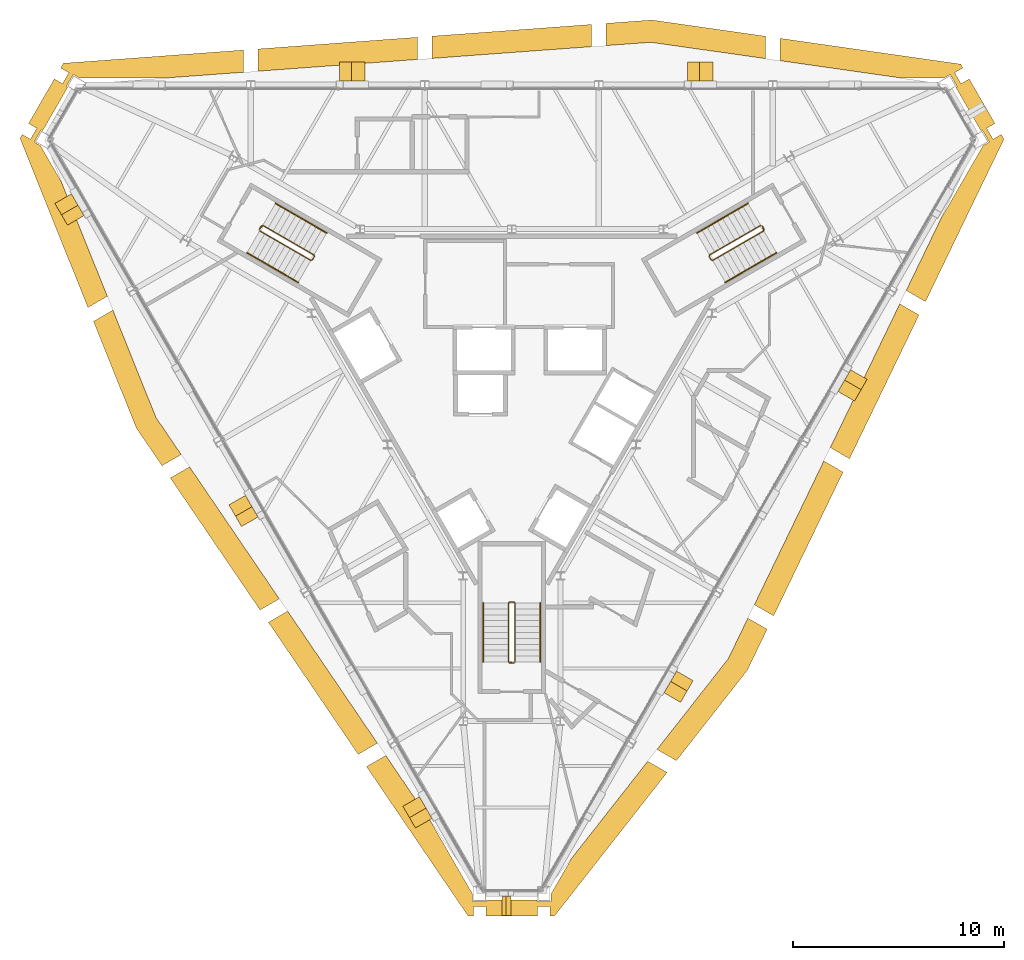
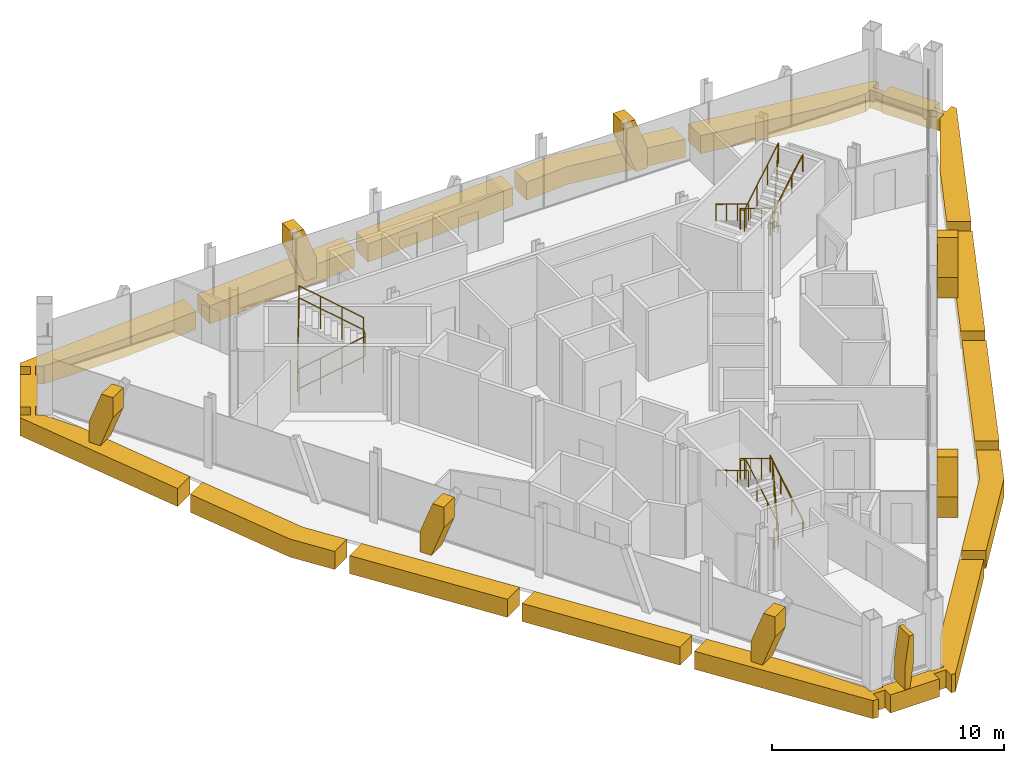
# One storey, part 11 of 12: 20 coverings, 9 railings.
"""IFC4 building model written with IfcOpenShell, lengths in metres."""

import ifcopenshell
import ifcopenshell.guid

model = None  # the IFC model being written
_history = None  # IfcOwnerHistory: only IFC2X3 demands one
_inside = {}  # id of a spatial element -> (the spatial element, [elements in it])
_under = {}  # id of a project, library or spatial element -> (it, [spatial elements below it])
_declared = {}  # id of a project -> (the project, [libraries it declares])
_typed = {}  # id of a type object -> (the type object, [elements of that type])
_made_of = {}  # id of a material, layer set ... -> (it, [elements and type objects made of it])


def new_model(schema):
    """Start an empty IFC model of exactly this schema.

    Asked for "IFC4X3", IfcOpenShell would pick the latest addendum, in which some entities
    have other attributes; the version numbers below select the first issue.
    IFC2X3 requires an IfcOwnerHistory on every rooted entity: one is made here for all.
    """
    global model, _history
    if schema == "IFC4X3":
        model = ifcopenshell.file(schema_version=(4, 3, 0, 0))
    else:
        model = ifcopenshell.file(schema=schema)
    _inside.clear()
    _under.clear()
    _declared.clear()
    _typed.clear()
    _made_of.clear()
    _history = None
    if model.schema == "IFC2X3":
        org = make("IfcOrganization", Name="unknown")
        user = make(
            "IfcPersonAndOrganization",
            ThePerson=make("IfcPerson", FamilyName="unknown"),
            TheOrganization=org,
        )
        app = make(
            "IfcApplication",
            ApplicationDeveloper=org,
            Version="unknown",
            ApplicationFullName="unknown",
            ApplicationIdentifier="unknown",
        )
        _history = make(
            "IfcOwnerHistory",
            OwningUser=user,
            OwningApplication=app,
            ChangeAction="ADDED",
            CreationDate=0,
        )
    return model


def make(cls, **values):
    """One entity of the class cls with the attributes given. An attribute that is None is left unset."""
    return model.create_entity(
        cls, **{name: value for name, value in values.items() if value is not None}
    )


def rooted(cls, **values):
    """An entity with a GlobalId (a new one), such as an element, a storey or a relation."""
    return make(cls, GlobalId=ifcopenshell.guid.new(), OwnerHistory=_history, **values)


def si_unit(unit_type, name, prefix=None):
    """IfcSIUnit, for example si_unit("LENGTHUNIT", "METRE", prefix="MILLI")."""
    return make("IfcSIUnit", UnitType=unit_type, Prefix=prefix, Name=name)


def assignment(units):
    """IfcUnitAssignment: the units of a project."""
    return None if units is None else make("IfcUnitAssignment", Units=units)


def point(xyz):
    """IfcCartesianPoint."""
    return None if xyz is None else make("IfcCartesianPoint", Coordinates=xyz)


def direction(xyz):
    """IfcDirection."""
    return None if xyz is None else make("IfcDirection", DirectionRatios=xyz)


def frame(location, z_axis=None, x_axis=None):
    """IfcAxis2Placement3D, a coordinate frame: its origin and axes. An axis left out is left unset."""
    return make(
        "IfcAxis2Placement3D",
        Location=point(location),
        Axis=direction(z_axis),
        RefDirection=direction(x_axis),
    )


def frame_2d(location, x_axis=None):
    """IfcAxis2Placement2D, a coordinate frame in the plane: its origin and x axis."""
    return make(
        "IfcAxis2Placement2D", Location=point(location), RefDirection=direction(x_axis)
    )


def origin():
    """The frame at (0, 0, 0) with its axes left unset."""
    return frame((0.0, 0.0, 0.0))


def origin_2d():
    """The frame at (0, 0) in the plane with its x axis left unset."""
    return frame_2d((0.0, 0.0))


def place(relative_to, where):
    """IfcLocalPlacement: puts the frame where relative to a parent placement (None: the world)."""
    return make(
        "IfcLocalPlacement", PlacementRelTo=relative_to, RelativePlacement=where
    )


def context(
    kind, dimensions, precision=None, world=None, true_north=None, identifier=None
):
    """IfcGeometricRepresentationContext, for example the 3D "Model" context."""
    return make(
        "IfcGeometricRepresentationContext",
        ContextIdentifier=identifier,
        ContextType=kind,
        CoordinateSpaceDimension=dimensions,
        Precision=precision,
        WorldCoordinateSystem=world,
        TrueNorth=true_north,
    )


def subcontext(parent, identifier, kind, view, scale=None):
    """IfcGeometricRepresentationSubContext, for example "Body" below "Model"."""
    return make(
        "IfcGeometricRepresentationSubContext",
        ContextIdentifier=identifier,
        ContextType=kind,
        ParentContext=parent,
        TargetScale=scale,
        TargetView=view,
    )


def project(units=None, contexts=None):
    """IfcProject with its units and contexts."""
    return rooted(
        "IfcProject",
        Name="project",
        RepresentationContexts=contexts,
        UnitsInContext=assignment(units),
    )


def spatial(cls, under=None, at=None, **own):
    """A site, building, storey or space (cls), placed at a placement, below another one or the project."""
    s = rooted(cls, ObjectPlacement=at, **own)
    if under is not None:
        _under.setdefault(under.id(), (under, []))[1].append(s)
    return s


def polyline(points):
    """IfcPolyline through the points."""
    return make("IfcPolyline", Points=[point(p) for p in points])


def profile(cls, at=None, kind="AREA", **sizes):
    """A parametric profile (cls). Its sizes go by their IFC names, for example OverallWidth=200.0."""
    return make(cls, ProfileType=kind, Position=at, **sizes)


def circle(**sizes):
    """IfcCircleProfileDef."""
    return profile("IfcCircleProfileDef", **sizes)


def outline(outer, holes=None, kind="AREA"):
    """IfcArbitraryClosedProfileDef: a profile drawn as a closed curve; with holes, ...WithVoids."""
    if holes is None:
        return make("IfcArbitraryClosedProfileDef", ProfileType=kind, OuterCurve=outer)
    return make(
        "IfcArbitraryProfileDefWithVoids",
        ProfileType=kind,
        OuterCurve=outer,
        InnerCurves=holes,
    )


def extrude(swept, where, along, depth):
    """IfcExtrudedAreaSolid: the profile swept, set in the frame where, extruded along a direction by depth."""
    return make(
        "IfcExtrudedAreaSolid",
        SweptArea=swept,
        Position=where,
        ExtrudedDirection=direction(along),
        Depth=depth,
    )


def shape(context_of_items, identifier, shape_type, items):
    """IfcShapeRepresentation: the items that make up one representation, for example the "Body"."""
    return make(
        "IfcShapeRepresentation",
        ContextOfItems=context_of_items,
        RepresentationIdentifier=identifier,
        RepresentationType=shape_type,
        Items=items,
    )


def material(Name=None, Category=None):
    """IfcMaterial."""
    return make("IfcMaterial", Name=Name, Category=Category)


def layer(
    of_material, thickness, ventilated=None, Name=None, Category=None, Priority=None
):
    """IfcMaterialLayer: one layer of a wall or slab, of a material (None: an air gap)."""
    return make(
        "IfcMaterialLayer",
        Material=of_material,
        LayerThickness=thickness,
        IsVentilated=ventilated,
        Name=Name,
        Category=Category,
        Priority=Priority,
    )


def layer_set(layers, Name=None):
    """IfcMaterialLayerSet."""
    return make("IfcMaterialLayerSet", MaterialLayers=layers, LayerSetName=Name)


def made_of(thing, what):
    """Note that an element or type object is made of a material, layer set ...; save() writes the relation."""
    if what is not None:
        _made_of.setdefault(what.id(), (what, []))[1].append(thing)
    return thing


def type_object(cls, material=None, **own):
    """A type object (cls), such as IfcWallType, which elements share."""
    return made_of(rooted(cls, **own), material)


def element(
    cls,
    number,
    at=None,
    inside=None,
    cuts=None,
    type_object=None,
    material=None,
    context=None,
    identifier="Body",
    shape_type=None,
    held_by="IfcProductDefinitionShape",
    body=None,
    shapes=None,
    **own,
):
    """One element of the class cls, such as IfcWall. Its Tag is "e" and its number.

    at: its placement. inside: the storey or other place that contains it. cuts: it is an
    opening in that element (IfcRelVoidsElement). A single representation is given by context,
    identifier, shape_type and body (its items); several are given by shapes. held_by: the class
    of the entity that holds the representations. save() writes the other relations.
    """
    e = rooted(cls, Tag="e%d" % number, ObjectPlacement=at, **own)
    if body is not None:
        shapes = [shape(context, identifier, shape_type, body)]
    if shapes is not None:
        e.Representation = make(held_by, Representations=shapes)
    if inside is not None:
        _inside.setdefault(inside.id(), (inside, []))[1].append(e)
    if cuts is not None:
        rooted(
            "IfcRelVoidsElement", RelatingBuildingElement=cuts, RelatedOpeningElement=e
        )
    if type_object is not None:
        _typed.setdefault(type_object.id(), (type_object, []))[1].append(e)
    return made_of(e, material)


def aggregate(whole, parts):
    """IfcRelAggregates: a whole, such as a stair, and the parts it consists of."""
    return rooted("IfcRelAggregates", RelatingObject=whole, RelatedObjects=parts)


def save(model, path):
    """Write the relations noted so far, then the file.

    IfcRelAggregates (storeys below a building ...), IfcRelContainedInSpatialStructure (elements
    in a storey), IfcRelDefinesByType, IfcRelAssociatesMaterial and IfcRelDeclares: one each for
    every whole, place, type object, material and project.
    """
    for whole, parts in _under.values():
        aggregate(whole, parts)
    for where, things in _inside.values():
        rooted(
            "IfcRelContainedInSpatialStructure",
            RelatedElements=things,
            RelatingStructure=where,
        )
    for kind, things in _typed.values():
        rooted("IfcRelDefinesByType", RelatedObjects=things, RelatingType=kind)
    for what, things in _made_of.values():
        rooted("IfcRelAssociatesMaterial", RelatedObjects=things, RelatingMaterial=what)
    for by, libraries in _declared.values():
        rooted("IfcRelDeclares", RelatingContext=by, RelatedDefinitions=libraries)
    model.write(path)


model = new_model("IFC4")

# Units and contexts
model_context = context("Model", 3, precision=1e-05, world=origin(), true_north=direction((0.0, 1.0)))
body_context = subcontext(model_context, "Body", "Model", "MODEL_VIEW")
ifc_project = project(units=[si_unit("LENGTHUNIT", "METRE"), si_unit("AREAUNIT", "SQUARE_METRE"), si_unit("VOLUMEUNIT", "CUBIC_METRE"), si_unit("PLANEANGLEUNIT", "RADIAN"), si_unit("MASSUNIT", "GRAM", prefix="KILO")], contexts=[model_context])

# Site, building, storey
site_placement = place(None, origin())
site = spatial("IfcSite", under=ifc_project, at=site_placement, CompositionType="ELEMENT")
building_placement = place(site_placement, origin())
building = spatial("IfcBuilding", under=site, at=building_placement, Name="Verrane Prism Tower", CompositionType="ELEMENT")
storey_placement = place(building_placement, frame((0.0, 0.0, 271.39990234375)))
storey = spatial("IfcBuildingStorey", under=building, at=storey_placement, Name="L68", CompositionType="ELEMENT", Elevation=271.39990234375)

# Railings
ifc_material_1 = material(Name="Steel A36 rail and posts, no infill", Category="steel")
railing_type_1 = type_object("IfcRailingType", Name="Stair guard 1100 steel rail and posts", PredefinedType="GUARDRAIL", material=ifc_material_1)
railing_1_placement = place(storey_placement, frame((11.78955078125, 6.97998046875, 0.168212890625)))
element("IfcRailing", 1, at=railing_1_placement, inside=storey, type_object=railing_type_1, Name="Stair 1 guard", PredefinedType="GUARDRAIL", context=body_context, shape_type="SweptSolid", body=[
    extrude(circle(Radius=0.02392578125, at=origin_2d()), frame((0.0, 0.0, 1.076171875), z_axis=(-0.742366697286, -0.42866220388, 0.514917859203), x_axis=(0.500049511043, -0.865996816683, 0.0)), (0.0, 0.0, 1.0), 3.266357421875),
    extrude(circle(Radius=0.02392578125, at=origin_2d()), frame((-2.4248046875, -1.400146484375, 2.7578125), z_axis=(-0.259601060869, -0.965715946433, 0.0), x_axis=(0.965715946433, -0.259601060869, 0.0)), (0.0, 0.0, 1.0), 0.070556640625),
    extrude(circle(Radius=0.02392578125, at=origin_2d()), frame((-2.443115234375, -1.46826171875, 2.7578125), z_axis=(0.499158860599, -0.866510491504, 0.0), x_axis=(0.866510491504, 0.499158860599, 0.0)), (0.0, 0.0, 1.0), 0.199951171875),
    extrude(circle(Radius=0.02392578125, at=origin_2d()), frame((-2.34326171875, -1.6416015625, 2.7578125), z_axis=(0.374585375571, -0.100335368456, 0.921747584887), x_axis=(0.258736085224, 0.965948051503, 0.0)), (0.0, 0.0, 1.0), 0.182373046875),
    extrude(circle(Radius=0.02392578125, at=origin_2d()), frame((-2.27490234375, -1.659912109375, 2.92626953125), z_axis=(0.742366697286, 0.42866220388, 0.514917859203), x_axis=(-0.500049511043, 0.865996816683, 0.0)), (0.0, 0.0, 1.0), 3.266357421875),
    extrude(circle(Radius=0.02392578125, at=origin_2d()), frame((0.14990234375, -0.259765625, 4.60791015625), z_axis=(-0.021985391189, 0.065100454749, -0.997636493602), x_axis=(-0.947430582667, -0.3199613899, 0.0)), (0.0, 0.0, 1.0), 3.708984375),
    extrude(circle(Radius=0.02392578125, at=origin_2d()), frame((0.068359375, -0.018310546875, 0.90771484375), z_axis=(0.499158860599, -0.866510491504, 0.0), x_axis=(0.866510491504, 0.499158860599, 0.0)), (0.0, 0.0, 1.0), 0.199951171875),
    extrude(circle(Radius=0.02099609375, at=origin_2d()), origin(), (0.0, 0.0, 1.0), 1.052001953125),
    extrude(circle(Radius=0.02099609375, at=origin_2d()), frame((-0.808349609375, -0.466796875, 0.560546875)), (0.0, 0.0, 1.0), 1.052001953125),
    extrude(circle(Radius=0.02099609375, at=origin_2d()), frame((-1.616455078125, -0.933349609375, 1.121337890625)), (0.0, 0.0, 1.0), 1.052001953125),
    extrude(circle(Radius=0.02099609375, at=origin_2d()), frame((-2.4248046875, -1.400146484375, 1.681884765625)), (0.0, 0.0, 1.0), 1.052001953125),
    extrude(circle(Radius=0.02099609375, at=origin_2d()), frame((-2.443115234375, -1.46826171875, 1.681884765625)), (0.0, 0.0, 1.0), 1.052001953125),
    extrude(circle(Radius=0.02099609375, at=origin_2d()), frame((-2.34326171875, -1.6416015625, 1.681884765625)), (0.0, 0.0, 1.0), 1.052001953125),
    extrude(circle(Radius=0.02099609375, at=origin_2d()), frame((-2.27490234375, -1.659912109375, 1.85009765625)), (0.0, 0.0, 1.0), 1.052001953125),
    extrude(circle(Radius=0.02099609375, at=origin_2d()), frame((-1.466552734375, -1.193115234375, 2.41064453125)), (0.0, 0.0, 1.0), 1.052001953125),
    extrude(circle(Radius=0.02099609375, at=origin_2d()), frame((-0.658447265625, -0.7265625, 2.971435546875)), (0.0, 0.0, 1.0), 1.052001953125),
    extrude(circle(Radius=0.02099609375, at=origin_2d()), frame((0.14990234375, -0.259765625, 3.531982421875)), (0.0, 0.0, 1.0), 1.052001953125),
    extrude(circle(Radius=0.02099609375, at=origin_2d()), frame((0.12939453125, -0.199462890625, 2.60693359375)), (0.0, 0.0, 1.0), 1.052001953125),
    extrude(circle(Radius=0.02099609375, at=origin_2d()), frame((0.109130859375, -0.13916015625, 1.681884765625)), (0.0, 0.0, 1.0), 1.052001953125),
    extrude(circle(Radius=0.02099609375, at=origin_2d()), frame((0.0888671875, -0.07861328125, 0.7568359375)), (0.0, 0.0, 1.0), 1.052001953125),
    extrude(circle(Radius=0.02099609375, at=origin_2d()), frame((0.068359375, -0.018310546875, -0.168212890625)), (0.0, 0.0, 1.0), 1.052001953125),
    extrude(circle(Radius=0.02099609375, at=origin_2d()), frame((0.168212890625, -0.191650390625, -0.168212890625)), (0.0, 0.0, 1.0), 1.052001953125),
])
railing_2_placement = place(storey_placement, frame((-11.939453125, 6.72021484375, 0.168212890625)))
element("IfcRailing", 2, at=railing_2_placement, inside=storey, type_object=railing_type_1, Name="Stair 2 guard", PredefinedType="GUARDRAIL", context=body_context, shape_type="SweptSolid", body=[
    extrude(circle(Radius=0.02392578125, at=origin_2d()), frame((0.0, 0.0, 1.076171875), z_axis=(0.742366697286, -0.42866220388, 0.514917859203), x_axis=(0.500049511043, 0.865996816683, 0.0)), (0.0, 0.0, 1.0), 3.266357421875),
    extrude(circle(Radius=0.02392578125, at=origin_2d()), frame((2.4248046875, -1.400146484375, 2.7578125), z_axis=(0.965948051503, 0.258736085224, 0.0), x_axis=(-0.258736085224, 0.965948051503, 0.0)), (0.0, 0.0, 1.0), 0.07080078125),
    extrude(circle(Radius=0.02392578125, at=origin_2d()), frame((2.4931640625, -1.3818359375, 2.7578125), z_axis=(0.499158860599, 0.866510491504, 0.0), x_axis=(-0.866510491504, 0.499158860599, 0.0)), (0.0, 0.0, 1.0), 0.199951171875),
    extrude(circle(Radius=0.02392578125, at=origin_2d()), frame((2.593017578125, -1.20849609375, 2.7578125), z_axis=(-0.100385596638, 0.373434419493, 0.922209014446), x_axis=(-0.965715946433, -0.259601060869, 0.0)), (0.0, 0.0, 1.0), 0.182373046875),
    extrude(circle(Radius=0.02392578125, at=origin_2d()), frame((2.57470703125, -1.140380859375, 2.92626953125), z_axis=(-0.742366697286, 0.42866220388, 0.514917859203), x_axis=(-0.500049511043, -0.865996816683, 0.0)), (0.0, 0.0, 1.0), 3.266357421875),
    extrude(circle(Radius=0.02392578125, at=origin_2d()), frame((0.14990234375, 0.259765625, 4.60791015625), z_axis=(-0.045352972709, -0.05167210969, -0.997633750906), x_axis=(0.751567565678, -0.659656118156, 0.0)), (0.0, 0.0, 1.0), 3.708984375),
    extrude(circle(Radius=0.02392578125, at=origin_2d()), frame((-0.018310546875, 0.068115234375, 0.90771484375), z_axis=(0.499158860599, 0.866510491504, 0.0), x_axis=(-0.866510491504, 0.499158860599, 0.0)), (0.0, 0.0, 1.0), 0.199951171875),
    extrude(circle(Radius=0.02099609375, at=origin_2d()), origin(), (0.0, 0.0, 1.0), 1.052001953125),
    extrude(circle(Radius=0.02099609375, at=origin_2d()), frame((0.808349609375, -0.466796875, 0.560546875)), (0.0, 0.0, 1.0), 1.052001953125),
    extrude(circle(Radius=0.02099609375, at=origin_2d()), frame((1.616455078125, -0.933349609375, 1.121337890625)), (0.0, 0.0, 1.0), 1.052001953125),
    extrude(circle(Radius=0.02099609375, at=origin_2d()), frame((2.4248046875, -1.400146484375, 1.681884765625)), (0.0, 0.0, 1.0), 1.052001953125),
    extrude(circle(Radius=0.02099609375, at=origin_2d()), frame((2.4931640625, -1.3818359375, 1.681884765625)), (0.0, 0.0, 1.0), 1.052001953125),
    extrude(circle(Radius=0.02099609375, at=origin_2d()), frame((2.593017578125, -1.20849609375, 1.681884765625)), (0.0, 0.0, 1.0), 1.052001953125),
    extrude(circle(Radius=0.02099609375, at=origin_2d()), frame((2.57470703125, -1.140380859375, 1.85009765625)), (0.0, 0.0, 1.0), 1.052001953125),
    extrude(circle(Radius=0.02099609375, at=origin_2d()), frame((1.766357421875, -0.673583984375, 2.41064453125)), (0.0, 0.0, 1.0), 1.052001953125),
    extrude(circle(Radius=0.02099609375, at=origin_2d()), frame((0.958251953125, -0.20703125, 2.971435546875)), (0.0, 0.0, 1.0), 1.052001953125),
    extrude(circle(Radius=0.02099609375, at=origin_2d()), frame((0.14990234375, 0.259765625, 3.531982421875)), (0.0, 0.0, 1.0), 1.052001953125),
    extrude(circle(Radius=0.02099609375, at=origin_2d()), frame((0.10791015625, 0.2119140625, 2.60693359375)), (0.0, 0.0, 1.0), 1.052001953125),
    extrude(circle(Radius=0.02099609375, at=origin_2d()), frame((0.06591796875, 0.1640625, 1.681884765625)), (0.0, 0.0, 1.0), 1.052001953125),
    extrude(circle(Radius=0.02099609375, at=origin_2d()), frame((0.023681640625, 0.115966796875, 0.7568359375)), (0.0, 0.0, 1.0), 1.052001953125),
    extrude(circle(Radius=0.02099609375, at=origin_2d()), frame((-0.018310546875, 0.068115234375, -0.168212890625)), (0.0, 0.0, 1.0), 1.052001953125),
    extrude(circle(Radius=0.02099609375, at=origin_2d()), frame((0.08154296875, 0.241455078125, -0.168212890625)), (0.0, 0.0, 1.0), 1.052001953125),
])
railing_3_placement = place(storey_placement, frame((0.14990234375, -13.699951171875, 0.168212890625)))
element("IfcRailing", 3, at=railing_3_placement, inside=storey, type_object=railing_type_1, Name="Stair 3 guard", PredefinedType="GUARDRAIL", context=body_context, shape_type="SweptSolid", body=[
    extrude(circle(Radius=0.02392578125, at=origin_2d()), frame((0.0, 0.0, 1.076171875), z_axis=(0.0, 0.857242210791, 0.514913383045), x_axis=(-1.0, 0.0, 0.0)), (0.0, 0.0, 1.0), 3.266357421875),
    extrude(circle(Radius=0.02392578125, at=origin_2d()), frame((0.0, 2.800048828125, 2.7578125), z_axis=(-0.707106781187, 0.707106781187, 0.0), x_axis=(-0.707106781187, -0.707106781187, 0.0)), (0.0, 0.0, 1.0), 0.0703125),
    extrude(circle(Radius=0.02392578125, at=origin_2d()), frame((-0.0498046875, 2.849853515625, 2.7578125), z_axis=(-1.0, 0.0, 0.0), x_axis=(0.0, -1.0, 0.0)), (0.0, 0.0, 1.0), 0.2001953125),
    extrude(circle(Radius=0.02392578125, at=origin_2d()), frame((-0.25, 2.849853515625, 2.7578125), z_axis=(-0.273106073848, -0.273106073848, 0.922402376869), x_axis=(0.707106781187, -0.707106781187, 0.0)), (0.0, 0.0, 1.0), 0.182373046875),
    extrude(circle(Radius=0.02392578125, at=origin_2d()), frame((-0.2998046875, 2.800048828125, 2.92626953125), z_axis=(0.0, -0.857242210791, 0.514913383045), x_axis=(1.0, 0.0, 0.0)), (0.0, 0.0, 1.0), 3.266357421875),
    extrude(circle(Radius=0.02392578125, at=origin_2d()), frame((-0.2998046875, 0.0, 4.60791015625), z_axis=(0.067404178178, -0.013494000514, -0.997634496554), x_axis=(0.196300278283, 0.98054382908, 0.0)), (0.0, 0.0, 1.0), 3.708984375),
    extrude(circle(Radius=0.02392578125, at=origin_2d()), frame((-0.0498046875, -0.050048828125, 0.90771484375), z_axis=(-1.0, 0.0, 0.0), x_axis=(0.0, -1.0, 0.0)), (0.0, 0.0, 1.0), 0.2001953125),
    extrude(circle(Radius=0.02099609375, at=origin_2d()), origin(), (0.0, 0.0, 1.0), 1.052001953125),
    extrude(circle(Radius=0.02099609375, at=origin_2d()), frame((0.0, 0.933349609375, 0.560546875)), (0.0, 0.0, 1.0), 1.052001953125),
    extrude(circle(Radius=0.02099609375, at=origin_2d()), frame((0.0, 1.86669921875, 1.121337890625)), (0.0, 0.0, 1.0), 1.052001953125),
    extrude(circle(Radius=0.02099609375, at=origin_2d()), frame((0.0, 2.800048828125, 1.681884765625)), (0.0, 0.0, 1.0), 1.052001953125),
    extrude(circle(Radius=0.02099609375, at=origin_2d()), frame((-0.0498046875, 2.849853515625, 1.681884765625)), (0.0, 0.0, 1.0), 1.052001953125),
    extrude(circle(Radius=0.02099609375, at=origin_2d()), frame((-0.25, 2.849853515625, 1.681884765625)), (0.0, 0.0, 1.0), 1.052001953125),
    extrude(circle(Radius=0.02099609375, at=origin_2d()), frame((-0.2998046875, 2.800048828125, 1.85009765625)), (0.0, 0.0, 1.0), 1.052001953125),
    extrude(circle(Radius=0.02099609375, at=origin_2d()), frame((-0.2998046875, 1.86669921875, 2.41064453125)), (0.0, 0.0, 1.0), 1.052001953125),
    extrude(circle(Radius=0.02099609375, at=origin_2d()), frame((-0.2998046875, 0.933349609375, 2.971435546875)), (0.0, 0.0, 1.0), 1.052001953125),
    extrude(circle(Radius=0.02099609375, at=origin_2d()), frame((-0.2998046875, 0.0, 3.531982421875)), (0.0, 0.0, 1.0), 1.052001953125),
    extrude(circle(Radius=0.02099609375, at=origin_2d()), frame((-0.2373046875, -0.012451171875, 2.60693359375)), (0.0, 0.0, 1.0), 1.052001953125),
    extrude(circle(Radius=0.02099609375, at=origin_2d()), frame((-0.1748046875, -0.02490234375, 1.681884765625)), (0.0, 0.0, 1.0), 1.052001953125),
    extrude(circle(Radius=0.02099609375, at=origin_2d()), frame((-0.1123046875, -0.03759765625, 0.7568359375)), (0.0, 0.0, 1.0), 1.052001953125),
    extrude(circle(Radius=0.02099609375, at=origin_2d()), frame((-0.0498046875, -0.050048828125, -0.168212890625)), (0.0, 0.0, 1.0), 1.052001953125),
    extrude(circle(Radius=0.02099609375, at=origin_2d()), frame((-0.25, -0.050048828125, -0.168212890625)), (0.0, 0.0, 1.0), 1.052001953125),
])
ifc_material_2 = material(Name="Steel A36 tube", Category="steel")
railing_type_2 = type_object("IfcRailingType", Name="Stair handrail 900 steel tube", PredefinedType="HANDRAIL", material=ifc_material_2)
railing_4_placement = place(storey_placement, frame((11.189453125, 8.01904296875, 0.168212890625)))
element("IfcRailing", 4, at=railing_4_placement, inside=storey, type_object=railing_type_2, Name="Stair 1 handrail", PredefinedType="HANDRAIL", context=body_context, shape_type="SweptSolid", body=[
    extrude(circle(Radius=0.02392578125, at=origin_2d()), frame((0.0, 0.0, 0.8759765625), z_axis=(-0.742390482028, -0.42860119049, 0.514934356695), x_axis=(0.49998411664, -0.866034573852, 0.0)), (0.0, 0.0, 1.0), 3.26611328125),
    extrude(circle(Radius=0.02099609375, at=origin_2d()), origin(), (0.0, 0.0, 1.0), 0.851806640625),
    extrude(circle(Radius=0.02099609375, at=origin_2d()), frame((-0.808349609375, -0.466552734375, 0.560546875)), (0.0, 0.0, 1.0), 0.851806640625),
    extrude(circle(Radius=0.02099609375, at=origin_2d()), frame((-1.616455078125, -0.933349609375, 1.121337890625)), (0.0, 0.0, 1.0), 0.851806640625),
    extrude(circle(Radius=0.02099609375, at=origin_2d()), frame((-2.4248046875, -1.39990234375, 1.681884765625)), (0.0, 0.0, 1.0), 0.851806640625),
])
railing_5_placement = place(storey_placement, frame((10.11474609375, 4.28076171875, 2.018310546875)))
element("IfcRailing", 5, at=railing_5_placement, inside=storey, type_object=railing_type_2, Name="Stair 1 handrail", PredefinedType="HANDRAIL", context=body_context, shape_type="SweptSolid", body=[
    extrude(circle(Radius=0.02392578125, at=origin_2d()), frame((0.0, 0.0, 0.8759765625), z_axis=(0.742366697286, 0.42866220388, 0.514917859203), x_axis=(-0.500049511043, 0.865996816683, 0.0)), (0.0, 0.0, 1.0), 3.266357421875),
    extrude(circle(Radius=0.02099609375, at=origin_2d()), origin(), (0.0, 0.0, 1.0), 0.851806640625),
    extrude(circle(Radius=0.02099609375, at=origin_2d()), frame((0.808349609375, 0.466796875, 0.560546875)), (0.0, 0.0, 1.0), 0.851806640625),
    extrude(circle(Radius=0.02099609375, at=origin_2d()), frame((1.616455078125, 0.933349609375, 1.121337890625)), (0.0, 0.0, 1.0), 0.851806640625),
    extrude(circle(Radius=0.02099609375, at=origin_2d()), frame((2.4248046875, 1.400146484375, 1.681884765625)), (0.0, 0.0, 1.0), 0.851806640625),
])
railing_6_placement = place(storey_placement, frame((-12.53955078125, 5.680908203125, 0.168212890625)))
element("IfcRailing", 6, at=railing_6_placement, inside=storey, type_object=railing_type_2, Name="Stair 2 handrail", PredefinedType="HANDRAIL", context=body_context, shape_type="SweptSolid", body=[
    extrude(circle(Radius=0.02392578125, at=origin_2d()), frame((0.0, 0.0, 0.8759765625), z_axis=(0.742366697286, -0.42866220388, 0.514917859203), x_axis=(0.500049511043, 0.865996816683, 0.0)), (0.0, 0.0, 1.0), 3.266357421875),
    extrude(circle(Radius=0.02099609375, at=origin_2d()), origin(), (0.0, 0.0, 1.0), 0.851806640625),
    extrude(circle(Radius=0.02099609375, at=origin_2d()), frame((0.808349609375, -0.466796875, 0.560546875)), (0.0, 0.0, 1.0), 0.851806640625),
    extrude(circle(Radius=0.02099609375, at=origin_2d()), frame((1.616455078125, -0.933349609375, 1.121337890625)), (0.0, 0.0, 1.0), 0.851806640625),
    extrude(circle(Radius=0.02099609375, at=origin_2d()), frame((2.4248046875, -1.400146484375, 1.681884765625)), (0.0, 0.0, 1.0), 0.851806640625),
])
railing_7_placement = place(storey_placement, frame((-8.7646484375, 6.619140625, 2.018310546875)))
element("IfcRailing", 7, at=railing_7_placement, inside=storey, type_object=railing_type_2, Name="Stair 2 handrail", PredefinedType="HANDRAIL", context=body_context, shape_type="SweptSolid", body=[
    extrude(circle(Radius=0.02392578125, at=origin_2d()), frame((0.0, 0.0, 0.8759765625), z_axis=(-0.742390482028, 0.42860119049, 0.514934356695), x_axis=(-0.49998411664, -0.866034573852, 0.0)), (0.0, 0.0, 1.0), 3.26611328125),
    extrude(circle(Radius=0.02099609375, at=origin_2d()), origin(), (0.0, 0.0, 1.0), 0.851806640625),
    extrude(circle(Radius=0.02099609375, at=origin_2d()), frame((-0.808349609375, 0.466552734375, 0.560546875)), (0.0, 0.0, 1.0), 0.851806640625),
    extrude(circle(Radius=0.02099609375, at=origin_2d()), frame((-1.616455078125, 0.933349609375, 1.121337890625)), (0.0, 0.0, 1.0), 0.851806640625),
    extrude(circle(Radius=0.02099609375, at=origin_2d()), frame((-2.4248046875, 1.39990234375, 1.681884765625)), (0.0, 0.0, 1.0), 0.851806640625),
])
railing_8_placement = place(storey_placement, frame((1.35009765625, -13.699951171875, 0.168212890625)))
element("IfcRailing", 8, at=railing_8_placement, inside=storey, type_object=railing_type_2, Name="Stair 3 handrail", PredefinedType="HANDRAIL", context=body_context, shape_type="SweptSolid", body=[
    extrude(circle(Radius=0.02392578125, at=origin_2d()), frame((0.0, 0.0, 0.8759765625), z_axis=(0.0, 0.857242210791, 0.514913383045), x_axis=(-1.0, 0.0, 0.0)), (0.0, 0.0, 1.0), 3.266357421875),
    extrude(circle(Radius=0.02099609375, at=origin_2d()), origin(), (0.0, 0.0, 1.0), 0.851806640625),
    extrude(circle(Radius=0.02099609375, at=origin_2d()), frame((0.0, 0.933349609375, 0.560546875)), (0.0, 0.0, 1.0), 0.851806640625),
    extrude(circle(Radius=0.02099609375, at=origin_2d()), frame((0.0, 1.86669921875, 1.121337890625)), (0.0, 0.0, 1.0), 0.851806640625),
    extrude(circle(Radius=0.02099609375, at=origin_2d()), frame((0.0, 2.800048828125, 1.681884765625)), (0.0, 0.0, 1.0), 0.851806640625),
])
railing_9_placement = place(storey_placement, frame((-1.35009765625, -10.89990234375, 2.018310546875)))
element("IfcRailing", 9, at=railing_9_placement, inside=storey, type_object=railing_type_2, Name="Stair 3 handrail", PredefinedType="HANDRAIL", context=body_context, shape_type="SweptSolid", body=[
    extrude(circle(Radius=0.02392578125, at=origin_2d()), frame((0.0, 0.0, 0.8759765625), z_axis=(0.0, -0.857242210791, 0.514913383045), x_axis=(1.0, 0.0, 0.0)), (0.0, 0.0, 1.0), 3.266357421875),
    extrude(circle(Radius=0.02099609375, at=origin_2d()), origin(), (0.0, 0.0, 1.0), 0.851806640625),
    extrude(circle(Radius=0.02099609375, at=origin_2d()), frame((0.0, -0.933349609375, 0.560546875)), (0.0, 0.0, 1.0), 0.851806640625),
    extrude(circle(Radius=0.02099609375, at=origin_2d()), frame((0.0, -1.86669921875, 1.121337890625)), (0.0, 0.0, 1.0), 0.851806640625),
    extrude(circle(Radius=0.02099609375, at=origin_2d()), frame((0.0, -2.800048828125, 1.681884765625)), (0.0, 0.0, 1.0), 0.851806640625),
])

# Coverings
ifc_material_3 = material(Name="Warm limestone cladding", Category="masonry")
ifc_layer_1 = layer(ifc_material_3, 0.89990234375)
ifc_layer_set_1 = layer_set([ifc_layer_1], Name="Stone brace fin 900")
covering_type_1 = type_object("IfcCoveringType", Name="Stone brace fin 900", PredefinedType="CLADDING", material=ifc_layer_set_1)
for number, where, z_axis, x_axis, name in (
    (10, (9.519775390625, 14.27783203125, 0.0), (0.0, 0.0, 1.0), (-1.0, 0.0, 0.0), "Stone brace fin N2 L68"),
    (11, (-6.960205078125, 14.27783203125, 0.0), (0.0, 0.0, 1.0), (-1.0, 0.0, 0.0), "Stone brace fin N4 L68"),
):
    element("IfcCovering", number, at=place(storey_placement, frame(where, z_axis=z_axis, x_axis=x_axis)), inside=storey, type_object=covering_type_1, Name=name, PredefinedType="CLADDING", context=body_context, shape_type="SweptSolid", body=[
        extrude(outline(polyline([(1.186279296875, 2.75), (0.62109375, 2.75), (0.0, 1.07666015625), (0.0, 0.0), (0.560302734375, 0.0), (1.186279296875, 1.686279296875), (1.186279296875, 2.75)])), frame((0.0, 0.449951171875, 0.0), z_axis=(0.0, -1.0, 0.0), x_axis=(1.0, 0.0, 0.0)), (0.0, 0.0, 1.0), 0.89990234375),
    ])
covering_1_placement = place(storey_placement, frame((-21.24365234375, 8.2451171875, 0.0), z_axis=(0.0, 0.0, 1.0), x_axis=(0.499900536046, -0.86608282171, 0.0)))
element("IfcCovering", 12, at=covering_1_placement, inside=storey, type_object=covering_type_1, Name="Stone brace fin SW1 L68", PredefinedType="CLADDING", context=body_context, shape_type="SweptSolid", body=[
    extrude(outline(polyline([(1.18701171875, 2.75), (0.62158203125, 2.75), (0.0, 1.076171875), (0.0, 0.0), (0.560546875, 0.0), (1.18701171875, 1.68701171875), (1.18701171875, 2.75)])), frame((0.0, 0.449951171875, 0.0), z_axis=(0.0, -1.0, 0.0), x_axis=(1.0, 0.0, 0.0)), (0.0, 0.0, 1.0), 0.89990234375),
])
covering_2_placement = place(storey_placement, frame((-13.00341796875, -6.03173828125, 0.0), z_axis=(0.0, 0.0, 1.0), x_axis=(0.500281029295, -0.865863090637, 0.0)))
element("IfcCovering", 13, at=covering_2_placement, inside=storey, type_object=covering_type_1, Name="Stone brace fin SW3 L68", PredefinedType="CLADDING", context=body_context, shape_type="SweptSolid", body=[
    extrude(outline(polyline([(1.185546875, 2.75), (0.62060546875, 2.75), (0.0, 1.077392578125), (0.0, 0.0), (0.560302734375, 0.0), (1.185546875, 1.685791015625), (1.185546875, 2.75)])), frame((0.0, 0.449951171875, 0.0), z_axis=(0.0, -1.0, 0.0), x_axis=(1.0, 0.0, 0.0)), (0.0, 0.0, 1.0), 0.89990234375),
])
for number, where, z_axis, x_axis, name in (
    (14, (-4.763671875, -20.3046875, 0.0), (0.0, 0.0, 1.0), (0.499811481546, -0.86613421761, 0.0), "Stone brace fin SW5 L68"),
    (15, (7.60400390625, -15.3828125, 0.0), (0.0, 0.0, 1.0), (0.499657156181, 0.866223254293, 0.0), "Stone brace fin SE2 L68"),
    (16, (15.843994140625, -1.11279296875, 0.0), (0.0, 0.0, 1.0), (0.499657156181, 0.866223254293, 0.0), "Stone brace fin SE4 L68"),
):
    element("IfcCovering", number, at=place(storey_placement, frame(where, z_axis=z_axis, x_axis=x_axis)), inside=storey, type_object=covering_type_1, Name=name, PredefinedType="CLADDING", context=body_context, shape_type="SweptSolid", body=[
        extrude(outline(polyline([(1.18701171875, 2.75), (0.62158203125, 2.75), (0.0, 1.076171875), (0.0, 0.0), (0.560546875, 0.0), (1.18701171875, 1.68701171875), (1.18701171875, 2.75)])), frame((0.0, 0.449951171875, 0.0), z_axis=(0.0, -1.0, 0.0), x_axis=(1.0, 0.0, 0.0)), (0.0, 0.0, 1.0), 0.89990234375),
    ])
covering_3_placement = place(storey_placement, frame((-0.466064453125, -25.2470703125, 0.0), z_axis=(0.0, 0.0, 1.0), x_axis=(1.0, 0.0, 0.0)))
element("IfcCovering", 17, at=covering_3_placement, inside=storey, type_object=covering_type_1, Name="Stone brace fin S1 L68", PredefinedType="CLADDING", context=body_context, shape_type="SweptSolid", body=[
    extrude(outline(polyline([(0.425537109375, 2.75), (0.204345703125, 2.75), (0.0, 1.257568359375), (0.0, 0.0), (0.238525390625, 0.0), (0.425537109375, 1.36572265625), (0.425537109375, 2.75)])), frame((0.0, 0.449951171875, 0.0), z_axis=(0.0, -1.0, 0.0), x_axis=(1.0, 0.0, 0.0)), (0.0, 0.0, 1.0), 0.89990234375),
])
ifc_material_4 = material(Name="Warm limestone cladding", Category="masonry")
ifc_layer_2 = layer(ifc_material_4, 0.449951171875)
ifc_layer_set_2 = layer_set([ifc_layer_2], Name="Stone spandrel band 450")
covering_type_2 = type_object("IfcCoveringType", Name="Stone spandrel band 450", PredefinedType="CLADDING", material=ifc_layer_set_2)
covering_4_placement = place(storey_placement, frame((0.0, 0.0, -0.949951171875)))
element("IfcCovering", 18, at=covering_4_placement, inside=storey, type_object=covering_type_2, Name="Stone spandrel band L68 part 1", PredefinedType="CLADDING", context=body_context, shape_type="SweptSolid", body=[
    extrude(outline(polyline([(-1.08349609375, -24.968994140625), (-1.18994140625, -24.968994140625), (-1.18994140625, -25.050048828125), (-1.85009765625, -25.050048828125), (-1.85009765625, -24.69580078125), (-3.818603515625, -21.285888671875), (-5.967529296875, -18.124755859375), (-6.879150390625, -18.651123046875), (-2.074951171875, -25.718994140625), (-1.819091796875, -25.718994140625), (-1.819091796875, -25.26904296875), (-1.218994140625, -25.26904296875), (-1.218994140625, -25.718994140625), (1.218994140625, -25.718994140625), (1.218994140625, -25.26904296875), (1.819091796875, -25.26904296875), (1.819091796875, -25.718994140625), (2.02978515625, -25.718994140625), (7.35888671875, -18.927978515625), (6.4404296875, -18.397705078125), (2.82958984375, -22.998779296875), (1.85009765625, -24.69580078125), (1.85009765625, -25.050048828125), (1.18994140625, -25.050048828125), (1.18994140625, -24.968994140625), (-0.419189453125, -24.968994140625), (-0.419189453125, -24.969970703125), (-0.466064453125, -24.969970703125), (-0.466064453125, -24.968994140625), (-0.547119140625, -24.968994140625), (-0.547119140625, -24.969970703125), (-0.57666015625, -24.969970703125), (-0.57666015625, -24.968994140625), (-0.92578125, -24.968994140625), (-0.92578125, -24.969970703125), (-0.972900390625, -24.969970703125), (-0.972900390625, -24.968994140625), (-1.053955078125, -24.968994140625), (-1.053955078125, -24.969970703125), (-1.08349609375, -24.969970703125), (-1.08349609375, -24.968994140625)])), origin(), (0.0, 0.0, 1.0), 0.949951171875),
])
covering_5_placement = place(storey_placement, frame((0.0, 0.0, -0.949951171875)))
element("IfcCovering", 19, at=covering_5_placement, inside=storey, type_object=covering_type_2, Name="Stone spandrel band L68 part 2", PredefinedType="CLADDING", context=body_context, shape_type="SweptSolid", body=[
    extrude(outline(polyline([(12.712646484375, 14.776611328125), (18.502685546875, 13.949951171875), (20.459716796875, 13.949951171875), (20.76416015625, 14.125732421875), (21.093994140625, 13.55419921875), (21.0283203125, 13.51611328125), (22.217041015625, 11.45703125), (22.2841796875, 11.495849609375), (22.614013671875, 10.92431640625), (22.315673828125, 10.751953125), (20.343505859375, 7.3359375), (18.68017578125, 3.894287109375), (19.592041015625, 3.367919921875), (23.310791015625, 11.0625), (23.182861328125, 11.2841796875), (22.793212890625, 11.05908203125), (22.4931640625, 11.578857421875), (22.8828125, 11.8037109375), (21.663818359375, 13.915283203125), (21.274169921875, 13.690185546875), (20.97412109375, 14.209716796875), (21.36376953125, 14.434814453125), (21.258544921875, 14.6171875), (12.712646484375, 15.837158203125), (12.712646484375, 14.776611328125)])), origin(), (0.0, 0.0, 1.0), 0.949951171875),
])
covering_6_placement = place(storey_placement, frame((0.0, 0.0, -0.949951171875)))
element("IfcCovering", 20, at=covering_6_placement, inside=storey, type_object=covering_type_2, Name="Stone spandrel band L68 part 3", PredefinedType="CLADDING", context=body_context, shape_type="SweptSolid", body=[
    extrude(outline(polyline([(-19.1533203125, 3.621337890625), (-21.33251953125, 9.048828125), (-22.315673828125, 10.751953125), (-22.614013671875, 10.92431640625), (-22.2841796875, 11.495849609375), (-22.217041015625, 11.45703125), (-21.0283203125, 13.51611328125), (-21.093994140625, 13.55419921875), (-20.76416015625, 14.125732421875), (-20.459716796875, 13.949951171875), (-16.52490234375, 13.949951171875), (-12.712646484375, 14.230224609375), (-12.712646484375, 15.283203125), (-21.23583984375, 14.656494140625), (-21.36376953125, 14.434814453125), (-20.97412109375, 14.209716796875), (-21.274169921875, 13.690185546875), (-21.663818359375, 13.915283203125), (-22.8828125, 11.8037109375), (-22.4931640625, 11.578857421875), (-22.793212890625, 11.05908203125), (-23.182861328125, 11.2841796875), (-23.2880859375, 11.101806640625), (-20.07177734375, 3.0908203125), (-19.1533203125, 3.621337890625)])), origin(), (0.0, 0.0, 1.0), 0.949951171875),
])
covering_7_placement = place(storey_placement, frame((0.0, 0.0, -0.949951171875)))
element("IfcCovering", 21, at=covering_7_placement, inside=storey, type_object=covering_type_2, Name="Stone spandrel band L68 part 4", PredefinedType="CLADDING", context=body_context, shape_type="SweptSolid", body=[
    extrude(outline(polyline([(-15.653564453125, -3.875), (-16.85009765625, -2.114990234375), (-18.8896484375, 2.965087890625), (-19.80810546875, 2.434814453125), (-17.781982421875, -2.611328125), (-16.565185546875, -4.401611328125), (-15.653564453125, -3.875)])), origin(), (0.0, 0.0, 1.0), 0.949951171875),
])
covering_8_placement = place(storey_placement, frame((0.0, 0.0, -0.949951171875)))
element("IfcCovering", 22, at=covering_8_placement, inside=storey, type_object=covering_type_2, Name="Stone spandrel band L68 part 5", PredefinedType="CLADDING", context=body_context, shape_type="SweptSolid", body=[
    extrude(outline(polyline([(12.094482421875, -12.145263671875), (11.1826171875, -11.618896484375), (10.256591796875, -13.53515625), (6.876953125, -17.841552734375), (7.795654296875, -18.371826171875), (11.152587890625, -14.093994140625), (12.094482421875, -12.145263671875)])), origin(), (0.0, 0.0, 1.0), 0.949951171875),
])
covering_9_placement = place(storey_placement, frame((0.0, 0.0, -0.949951171875)))
element("IfcCovering", 23, at=covering_9_placement, inside=storey, type_object=covering_type_2, Name="Stone spandrel band L68 part 6", PredefinedType="CLADDING", context=body_context, shape_type="SweptSolid", body=[
    extrude(outline(polyline([(4.470947265625, 16.546875), (4.470947265625, 15.493896484375), (6.593505859375, 15.64990234375), (12.0126953125, 14.87646484375), (12.0126953125, 15.93701171875), (6.62939453125, 16.70556640625), (4.470947265625, 16.546875)])), origin(), (0.0, 0.0, 1.0), 0.949951171875),
])
covering_10_placement = place(storey_placement, frame((0.0, 0.0, -0.949951171875)))
element("IfcCovering", 24, at=covering_10_placement, inside=storey, type_object=covering_type_2, Name="Stone spandrel band L68 part 7", PredefinedType="CLADDING", context=body_context, shape_type="SweptSolid", body=[
    extrude(outline(polyline([(-11.919677734375, -11.236083984375), (-11.0078125, -10.709716796875), (-15.259033203125, -4.45556640625), (-16.1708984375, -4.98193359375), (-11.919677734375, -11.236083984375)])), origin(), (0.0, 0.0, 1.0), 0.949951171875),
])
covering_11_placement = place(storey_placement, frame((0.0, 0.0, -0.949951171875)))
element("IfcCovering", 25, at=covering_11_placement, inside=storey, type_object=covering_type_2, Name="Stone spandrel band L68 part 8", PredefinedType="CLADDING", context=body_context, shape_type="SweptSolid", body=[
    extrude(outline(polyline([(-6.362060546875, -17.544189453125), (-10.61328125, -11.2900390625), (-11.52490234375, -11.81640625), (-7.273681640625, -18.070556640625), (-6.362060546875, -17.544189453125)])), origin(), (0.0, 0.0, 1.0), 0.949951171875),
])
covering_12_placement = place(storey_placement, frame((0.0, 0.0, -0.949951171875)))
element("IfcCovering", 26, at=covering_12_placement, inside=storey, type_object=covering_type_2, Name="Stone spandrel band L68 part 9", PredefinedType="CLADDING", context=body_context, shape_type="SweptSolid", body=[
    extrude(outline(polyline([(14.77880859375, -4.17822265625), (11.488037109375, -10.98681640625), (12.39990234375, -11.51318359375), (15.6904296875, -4.70458984375), (14.77880859375, -4.17822265625)])), origin(), (0.0, 0.0, 1.0), 0.949951171875),
])
covering_13_placement = place(storey_placement, frame((0.0, 0.0, -0.949951171875)))
element("IfcCovering", 27, at=covering_13_placement, inside=storey, type_object=covering_type_2, Name="Stone spandrel band L68 part 10", PredefinedType="CLADDING", context=body_context, shape_type="SweptSolid", body=[
    extrude(outline(polyline([(19.28662109375, 2.736083984375), (18.374755859375, 3.262451171875), (15.084228515625, -3.54638671875), (15.995849609375, -4.07275390625), (19.28662109375, 2.736083984375)])), origin(), (0.0, 0.0, 1.0), 0.949951171875),
])
covering_14_placement = place(storey_placement, frame((0.0, 0.0, -0.949951171875)))
element("IfcCovering", 28, at=covering_14_placement, inside=storey, type_object=covering_type_2, Name="Stone spandrel band L68 part 11", PredefinedType="CLADDING", context=body_context, shape_type="SweptSolid", body=[
    extrude(outline(polyline([(-3.77099609375, 14.887939453125), (3.77099609375, 15.4423828125), (3.77099609375, 16.495361328125), (-3.77099609375, 15.940673828125), (-3.77099609375, 14.887939453125)])), origin(), (0.0, 0.0, 1.0), 0.949951171875),
])
covering_15_placement = place(storey_placement, frame((0.0, 0.0, -0.949951171875)))
element("IfcCovering", 29, at=covering_15_placement, inside=storey, type_object=covering_type_2, Name="Stone spandrel band L68 part 12", PredefinedType="CLADDING", context=body_context, shape_type="SweptSolid", body=[
    extrude(outline(polyline([(-12.0126953125, 14.28173828125), (-4.470947265625, 14.83642578125), (-4.470947265625, 15.88916015625), (-12.0126953125, 15.334716796875), (-12.0126953125, 14.28173828125)])), origin(), (0.0, 0.0, 1.0), 0.949951171875),
])

save(model, "model.ifc")
